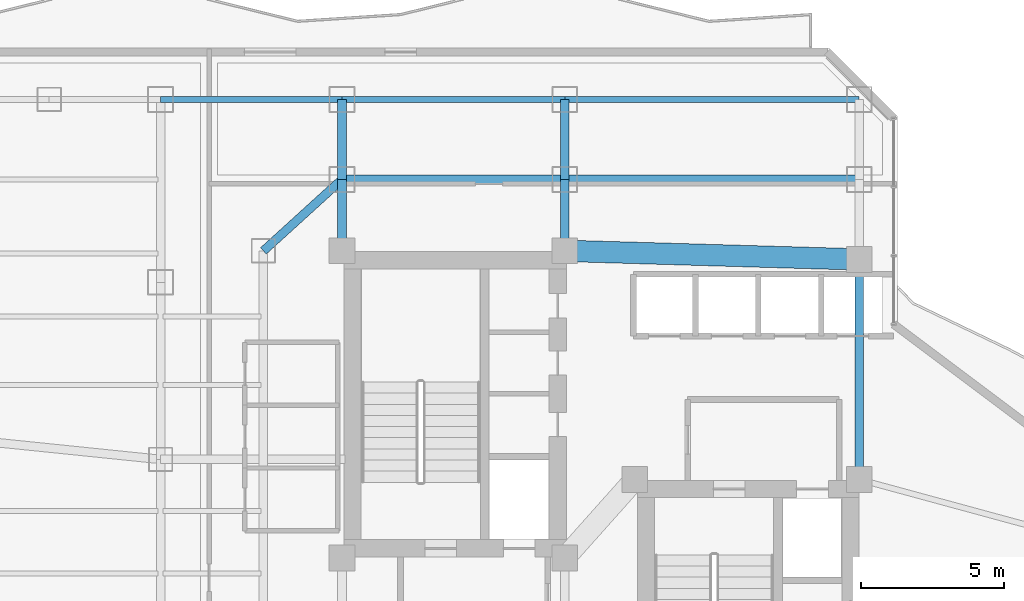
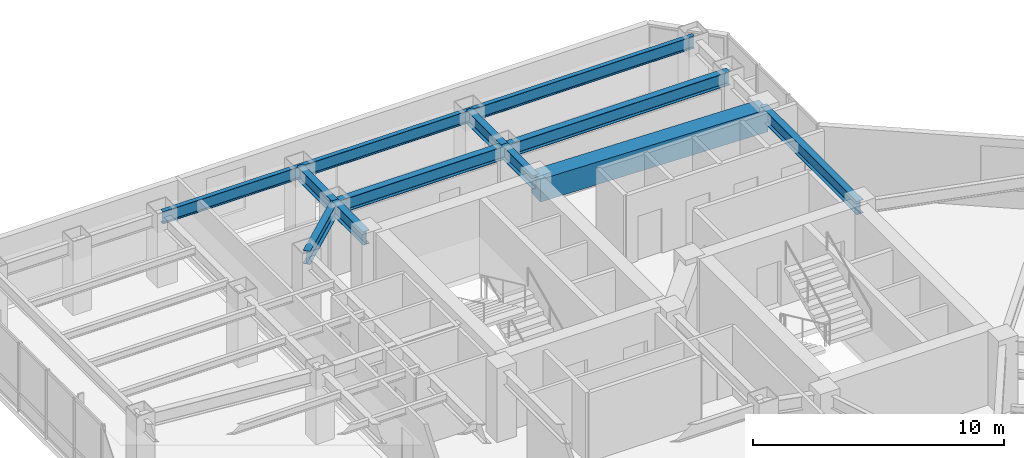
# One storey, part 18 of 29: 12 beams.
"""IFC4 building model written with IfcOpenShell, lengths in metres."""

from ifc_helpers import new_model, si_unit, direction, frame, origin, origin_2d, place, context, subcontext, project, spatial, rectangle, i_section, extrude, material, material_profile, profile_set, type_object, element, save


model = new_model("IFC4")

# Units and contexts
model_context = context("Model", 3, precision=1e-05, world=origin(), true_north=direction((0.0, 1.0)))
body_context = subcontext(model_context, "Body", "Model", "MODEL_VIEW")
ifc_project = project(units=[si_unit("LENGTHUNIT", "METRE"), si_unit("AREAUNIT", "SQUARE_METRE"), si_unit("VOLUMEUNIT", "CUBIC_METRE"), si_unit("PLANEANGLEUNIT", "RADIAN"), si_unit("MASSUNIT", "GRAM", prefix="KILO")], contexts=[model_context])

# Site, building, storey
site_placement = place(None, origin())
site = spatial("IfcSite", under=ifc_project, at=site_placement, CompositionType="ELEMENT")
building_placement = place(site_placement, origin())
building = spatial("IfcBuilding", under=site, at=building_placement, Name="Hatsunagi Terrace Concourse", CompositionType="ELEMENT")
storey_placement = place(building_placement, frame((0.0, 0.0, 115.64990234375)))
storey = spatial("IfcBuildingStorey", under=building, at=storey_placement, Name="L30", CompositionType="ELEMENT", Elevation=115.64990234375)

# Beams
ifc_material_1 = material(Name="Concrete Fc48", Category="concrete")
ifc_material_profile_1 = material_profile(ifc_material_1, rectangle(XDim=0.75, YDim=1.10009765625, at=origin_2d()), Name="RC-750x1100")
ifc_profile_set_1 = profile_set([ifc_material_profile_1], Name="Concrete Fc48")
beam_type_1 = type_object("IfcBeamType", Name="CoreCouplingBeam_RC_750x1100", PredefinedType="BEAM", material=ifc_profile_set_1)
beam_1_placement = place(storey_placement, frame((33.35009765625, 43.300048828125, 2.800048828125), z_axis=(0.999575947545, -0.029119153303, 0.0), x_axis=(0.029119153303, 0.999575947545, 0.0)))
element("IfcBeam", 1, at=beam_1_placement, inside=storey, type_object=beam_type_1, Name="Beam CB-02 CB-L30-2", PredefinedType="BEAM", context=body_context, shape_type="SweptSolid", body=[
    extrude(rectangle(XDim=0.75, YDim=1.10009765625, at=origin_2d()), origin(), (0.0, 0.0, 1.0), 10.30419921875),
])
ifc_material_2 = material(Name="Steel SN490B", Category="steel")
ifc_material_profile_2 = material_profile(ifc_material_2, i_section(OverallWidth=0.300048828125, OverallDepth=0.64990234375, WebThickness=0.012939453125, FlangeThickness=0.02197265625, FilletRadius=0.01806640625, at=origin_2d()), Name="H-650x300x13x22")
ifc_profile_set_2 = profile_set([ifc_material_profile_2], Name="Steel SN490B")
beam_type_2 = type_object("IfcBeamType", Name="OfficeLowGirder_H_650x300", PredefinedType="BEAM", material=ifc_profile_set_2)
beam_2_placement = place(storey_placement, frame((43.64990234375, 35.300048828125, 3.025146484375), z_axis=(0.0, 1.0, 0.0), x_axis=(-1.0, 0.0, 0.0)))
element("IfcBeam", 2, at=beam_2_placement, inside=storey, type_object=beam_type_2, Name="Beam G-05 BM-L30-CBK3", PredefinedType="BEAM", context=body_context, shape_type="SweptSolid", body=[
    extrude(i_section(OverallWidth=0.300048828125, OverallDepth=0.64990234375, WebThickness=0.012939453125, FlangeThickness=0.02197265625, FilletRadius=0.01806640625, at=origin_2d()), origin(), (0.0, 0.0, 1.0), 7.699951171875),
])
for number, where, z_axis, x_axis, name in (
    (3, (25.550048828125, 43.300048828125, 3.025146484375), (0.0, 1.0, 0.0), (-1.0, 0.0, 0.0), "Beam G-05 BM-L30-CN1"),
    (4, (33.35009765625, 43.300048828125, 3.025146484375), (0.0, 1.0, 0.0), (-1.0, 0.0, 0.0), "Beam G-05 BM-L30-CN2"),
):
    element("IfcBeam", number, at=place(storey_placement, frame(where, z_axis=z_axis, x_axis=x_axis)), inside=storey, type_object=beam_type_2, Name=name, PredefinedType="BEAM", context=body_context, shape_type="SweptSolid", body=[
        extrude(i_section(OverallWidth=0.300048828125, OverallDepth=0.64990234375, WebThickness=0.012939453125, FlangeThickness=0.02197265625, FilletRadius=0.01806640625, at=origin_2d()), origin(), (0.0, 0.0, 1.0), 2.5),
    ])
beam_3_placement = place(storey_placement, frame((25.550048828125, 45.800048828125, 3.025146484375), z_axis=(1.0, 0.0, 0.0), x_axis=(0.0, 1.0, 0.0)))
element("IfcBeam", 5, at=beam_3_placement, inside=storey, type_object=beam_type_2, Name="Beam G-05 BM-L30-CNEW1", PredefinedType="BEAM", context=body_context, shape_type="SweptSolid", body=[
    extrude(i_section(OverallWidth=0.300048828125, OverallDepth=0.64990234375, WebThickness=0.012939453125, FlangeThickness=0.02197265625, FilletRadius=0.01806640625, at=origin_2d()), origin(), (0.0, 0.0, 1.0), 7.800048828125),
])
beam_4_placement = place(storey_placement, frame((33.35009765625, 45.800048828125, 3.025146484375), z_axis=(1.0, 0.0, 0.0), x_axis=(0.0, 1.0, 0.0)))
element("IfcBeam", 6, at=beam_4_placement, inside=storey, type_object=beam_type_2, Name="Beam G-05 BM-L30-CNEW2", PredefinedType="BEAM", context=body_context, shape_type="SweptSolid", body=[
    extrude(i_section(OverallWidth=0.300048828125, OverallDepth=0.64990234375, WebThickness=0.012939453125, FlangeThickness=0.02197265625, FilletRadius=0.01806640625, at=origin_2d()), origin(), (0.0, 0.0, 1.0), 10.2998046875),
])
for number, where, z_axis, x_axis, name in (
    (7, (25.550048828125, 45.800048828125, 3.025146484375), (0.0, 1.0, 0.0), (-1.0, 0.0, 0.0), "Beam G-05 BM-L30-KN-WN4"),
    (8, (33.35009765625, 45.800048828125, 3.025146484375), (0.0, 1.0, 0.0), (-1.0, 0.0, 0.0), "Beam G-05 BM-L30-KN-WN5"),
):
    element("IfcBeam", number, at=place(storey_placement, frame(where, z_axis=z_axis, x_axis=x_axis)), inside=storey, type_object=beam_type_2, Name=name, PredefinedType="BEAM", context=body_context, shape_type="SweptSolid", body=[
        extrude(i_section(OverallWidth=0.300048828125, OverallDepth=0.64990234375, WebThickness=0.012939453125, FlangeThickness=0.02197265625, FilletRadius=0.01806640625, at=origin_2d()), origin(), (0.0, 0.0, 1.0), 2.800048828125),
    ])
beam_5_placement = place(storey_placement, frame((22.800048828125, 43.300048828125, 3.025146484375), z_axis=(0.739940073396, 0.672672793996, 0.0), x_axis=(-0.672672793996, 0.739940073396, 0.0)))
element("IfcBeam", 9, at=beam_5_placement, inside=storey, type_object=beam_type_2, Name="Beam G-05 BM-L30-CWEW-N", PredefinedType="BEAM", context=body_context, shape_type="SweptSolid", body=[
    extrude(i_section(OverallWidth=0.300048828125, OverallDepth=0.64990234375, WebThickness=0.012939453125, FlangeThickness=0.02197265625, FilletRadius=0.01806640625, at=origin_2d()), origin(), (0.0, 0.0, 1.0), 3.716552734375),
])
ifc_material_3 = material(Name="Steel SN490B", Category="steel")
ifc_material_profile_3 = material_profile(ifc_material_3, i_section(OverallWidth=0.199951171875, OverallDepth=0.60009765625, WebThickness=0.010986328125, FlangeThickness=0.01708984375, FilletRadius=0.01806640625, at=origin_2d()), Name="H-600x200x11x17")
ifc_profile_set_3 = profile_set([ifc_material_profile_3], Name="Steel SN490B")
beam_type_3 = type_object("IfcBeamType", Name="PerimeterSpandrel_H_600x200", PredefinedType="SPANDREL", material=ifc_profile_set_3)
beam_6_placement = place(storey_placement, frame((19.199951171875, 48.60009765625, 3.050048828125), z_axis=(1.0, 0.0, 0.0), x_axis=(0.0, 1.0, 0.0)))
element("IfcBeam", 10, at=beam_6_placement, inside=storey, type_object=beam_type_3, Name="Beam SP-01 BM-L30-WN-19", PredefinedType="SPANDREL", context=body_context, shape_type="SweptSolid", body=[
    extrude(i_section(OverallWidth=0.199951171875, OverallDepth=0.60009765625, WebThickness=0.010986328125, FlangeThickness=0.01708984375, FilletRadius=0.01806640625, at=origin_2d()), origin(), (0.0, 0.0, 1.0), 6.35009765625),
])
beam_7_placement = place(storey_placement, frame((25.550048828125, 48.60009765625, 3.050048828125), z_axis=(1.0, 0.0, 0.0), x_axis=(0.0, 1.0, 0.0)))
element("IfcBeam", 11, at=beam_7_placement, inside=storey, type_object=beam_type_3, Name="Beam SP-01 BM-L30-WN-25", PredefinedType="SPANDREL", context=body_context, shape_type="SweptSolid", body=[
    extrude(i_section(OverallWidth=0.199951171875, OverallDepth=0.60009765625, WebThickness=0.010986328125, FlangeThickness=0.01708984375, FilletRadius=0.01806640625, at=origin_2d()), origin(), (0.0, 0.0, 1.0), 7.800048828125),
])
beam_8_placement = place(storey_placement, frame((33.35009765625, 48.60009765625, 3.050048828125), z_axis=(1.0, 0.0, 0.0), x_axis=(0.0, 1.0, 0.0)))
element("IfcBeam", 12, at=beam_8_placement, inside=storey, type_object=beam_type_3, Name="Beam SP-01 BM-L30-WN-33", PredefinedType="SPANDREL", context=body_context, shape_type="SweptSolid", body=[
    extrude(i_section(OverallWidth=0.199951171875, OverallDepth=0.60009765625, WebThickness=0.010986328125, FlangeThickness=0.01708984375, FilletRadius=0.01806640625, at=origin_2d()), origin(), (0.0, 0.0, 1.0), 10.2998046875),
])

save(model, "model.ifc")
